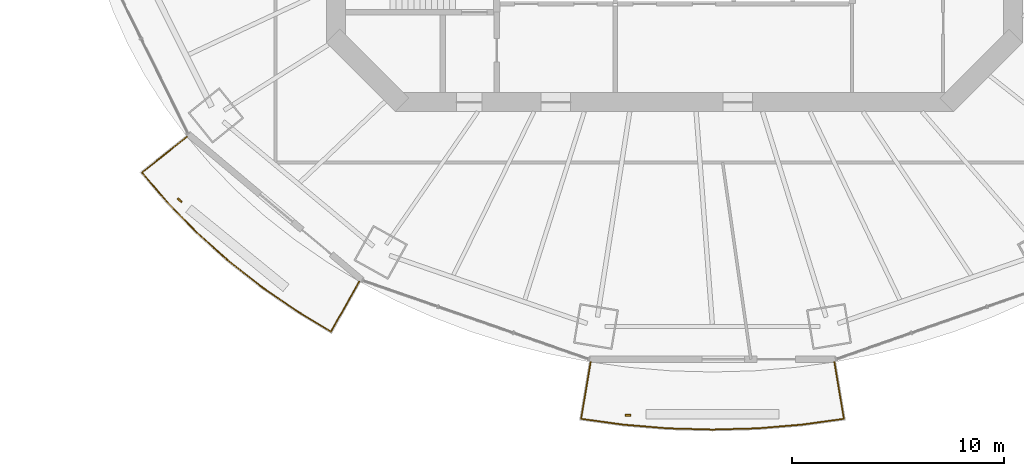
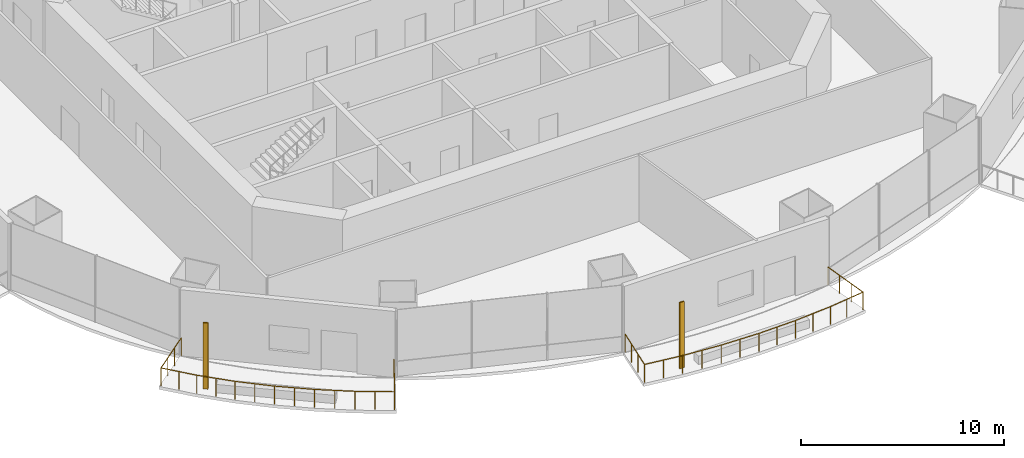
# One storey, part 14 of 19: 2 railings, 2 shading devices.
"""IFC4 building model written with IfcOpenShell, lengths in metres."""

from ifc_helpers import new_model, si_unit, direction, frame, origin, origin_2d, place, context, subcontext, project, spatial, rectangle, circle, extrude, material, material_profile, profile_set, type_object, element, save


model = new_model("IFC4")

# Units and contexts
model_context = context("Model", 3, precision=1e-05, world=origin(), true_north=direction((0.0, 1.0)))
body_context = subcontext(model_context, "Body", "Model", "MODEL_VIEW")
ifc_project = project(units=[si_unit("LENGTHUNIT", "METRE"), si_unit("AREAUNIT", "SQUARE_METRE"), si_unit("VOLUMEUNIT", "CUBIC_METRE"), si_unit("PLANEANGLEUNIT", "RADIAN"), si_unit("MASSUNIT", "GRAM", prefix="KILO")], contexts=[model_context])

# Site, building, storey
site_placement = place(None, origin())
site = spatial("IfcSite", under=ifc_project, at=site_placement, CompositionType="ELEMENT")
building_placement = place(site_placement, origin())
building = spatial("IfcBuilding", under=site, at=building_placement, Name="Marenthal Gate Tower", CompositionType="ELEMENT")
storey_placement = place(building_placement, frame((0.0, 0.0, 252.35009765625)))
storey = spatial("IfcBuildingStorey", under=building, at=storey_placement, Name="L56", CompositionType="ELEMENT", Elevation=252.35009765625)

# Railings
ifc_material_1 = material(Name="Stainless steel", Category="steel")
railing_type = type_object("IfcRailingType", Name="Balcony guard 1100", PredefinedType="GUARDRAIL", material=ifc_material_1)
railing_1_placement = place(storey_placement, frame((-14.89404296875, -21.4755859375, 0.0)))
element("IfcRailing", 1, at=railing_1_placement, inside=storey, type_object=railing_type, Name="Balcony guard L56 bay 10", PredefinedType="GUARDRAIL", context=body_context, shape_type="SweptSolid", body=[
    extrude(circle(Radius=0.02392578125, at=origin_2d()), frame((0.0, 0.0, 1.076171875), z_axis=(-0.490003601749, -0.871596150217, -0.014718056902), x_axis=(0.871690568659, -0.490056682957, 0.0)), (0.0, 0.0, 1.0), 2.720458984375),
    extrude(circle(Radius=0.02392578125, at=origin_2d()), frame((-1.3330078125, -2.37109375, 1.0361328125), z_axis=(-0.855893544478, 0.517152047778, 0.0), x_axis=(-0.517152047778, -0.855893544478, 0.0)), (0.0, 0.0, 1.0), 1.944580078125),
    extrude(circle(Radius=0.02392578125, at=origin_2d()), frame((-2.997314453125, -1.365478515625, 1.0361328125), z_axis=(-0.823118749267, 0.567869284787, 0.0), x_axis=(-0.567869284787, -0.823118749267, 0.0)), (0.0, 0.0, 1.0), 2.008544921875),
    extrude(circle(Radius=0.02392578125, at=origin_2d()), frame((-4.650634765625, -0.224853515625, 1.0361328125), z_axis=(-0.785663114819, 0.618654564367, 0.0), x_axis=(-0.618654564367, -0.785663114819, 0.0)), (0.0, 0.0, 1.0), 1.992431640625),
    extrude(circle(Radius=0.02392578125, at=origin_2d()), frame((-6.216064453125, 1.0078125, 1.0361328125), z_axis=(-0.744141474821, 0.668022054614, 0.0), x_axis=(-0.668022054614, -0.744141474821, 0.0)), (0.0, 0.0, 1.0), 1.975830078125),
    extrude(circle(Radius=0.02392578125, at=origin_2d()), frame((-7.686279296875, 2.32763671875, 1.0361328125), z_axis=(-0.698521536326, 0.715589032398, 0.0), x_axis=(-0.715589032398, -0.698521536326, 0.0)), (0.0, 0.0, 1.0), 1.959716796875),
    extrude(circle(Radius=0.02392578125, at=origin_2d()), frame((-9.05517578125, 3.72998046875, 1.0361328125), z_axis=(-0.649809223688, 0.760097344298, 0.0), x_axis=(-0.760097344298, -0.649809223688, 0.0)), (0.0, 0.0, 1.0), 1.864013671875),
    extrude(circle(Radius=0.02392578125, at=origin_2d()), frame((-10.266357421875, 5.146728515625, 1.0361328125), z_axis=(0.783055581805, 0.621777543925, 0.014718752483), x_axis=(-0.621844906334, 0.783140416826, 0.0)), (0.0, 0.0, 1.0), 2.72021484375),
    extrude(circle(Radius=0.02099609375, at=origin_2d()), origin(), (0.0, 0.0, 1.0), 1.052001953125),
    extrude(circle(Radius=0.02099609375, at=origin_2d()), frame((-0.4443359375, -0.790283203125, -0.013427734375)), (0.0, 0.0, 1.0), 1.052001953125),
    extrude(circle(Radius=0.02099609375, at=origin_2d()), frame((-0.888671875, -1.580810546875, -0.026611328125)), (0.0, 0.0, 1.0), 1.052001953125),
    extrude(circle(Radius=0.02099609375, at=origin_2d()), frame((-1.3330078125, -2.37109375, -0.0400390625)), (0.0, 0.0, 1.0), 1.052001953125),
    extrude(circle(Radius=0.02099609375, at=origin_2d()), frame((-2.1650390625, -1.8681640625, -0.0400390625)), (0.0, 0.0, 1.0), 1.052001953125),
    extrude(circle(Radius=0.02099609375, at=origin_2d()), frame((-2.997314453125, -1.365478515625, -0.0400390625)), (0.0, 0.0, 1.0), 1.052001953125),
    extrude(circle(Radius=0.02099609375, at=origin_2d()), frame((-3.823974609375, -0.795166015625, -0.0400390625)), (0.0, 0.0, 1.0), 1.052001953125),
    extrude(circle(Radius=0.02099609375, at=origin_2d()), frame((-4.650634765625, -0.224853515625, -0.0400390625)), (0.0, 0.0, 1.0), 1.052001953125),
    extrude(circle(Radius=0.02099609375, at=origin_2d()), frame((-5.433349609375, 0.3916015625, -0.0400390625)), (0.0, 0.0, 1.0), 1.052001953125),
    extrude(circle(Radius=0.02099609375, at=origin_2d()), frame((-6.216064453125, 1.0078125, -0.0400390625)), (0.0, 0.0, 1.0), 1.052001953125),
    extrude(circle(Radius=0.02099609375, at=origin_2d()), frame((-6.951171875, 1.667724609375, -0.0400390625)), (0.0, 0.0, 1.0), 1.052001953125),
    extrude(circle(Radius=0.02099609375, at=origin_2d()), frame((-7.686279296875, 2.32763671875, -0.0400390625)), (0.0, 0.0, 1.0), 1.052001953125),
    extrude(circle(Radius=0.02099609375, at=origin_2d()), frame((-8.37060546875, 3.02880859375, -0.0400390625)), (0.0, 0.0, 1.0), 1.052001953125),
    extrude(circle(Radius=0.02099609375, at=origin_2d()), frame((-9.05517578125, 3.72998046875, -0.0400390625)), (0.0, 0.0, 1.0), 1.052001953125),
    extrude(circle(Radius=0.02099609375, at=origin_2d()), frame((-9.66064453125, 4.4384765625, -0.0400390625)), (0.0, 0.0, 1.0), 1.052001953125),
    extrude(circle(Radius=0.02099609375, at=origin_2d()), frame((-10.266357421875, 5.146728515625, -0.0400390625)), (0.0, 0.0, 1.0), 1.052001953125),
    extrude(circle(Radius=0.02099609375, at=origin_2d()), frame((-9.556396484375, 5.71044921875, -0.026611328125)), (0.0, 0.0, 1.0), 1.052001953125),
    extrude(circle(Radius=0.02099609375, at=origin_2d()), frame((-8.84619140625, 6.2744140625, -0.013427734375)), (0.0, 0.0, 1.0), 1.052001953125),
    extrude(circle(Radius=0.02099609375, at=origin_2d()), frame((-8.13623046875, 6.838134765625, 0.0)), (0.0, 0.0, 1.0), 1.052001953125),
])
railing_2_placement = place(storey_placement, frame((7.558837890625, -25.283935546875, 0.0)))
element("IfcRailing", 2, at=railing_2_placement, inside=storey, type_object=railing_type, Name="Balcony guard L56 bay 12", PredefinedType="GUARDRAIL", context=body_context, shape_type="SweptSolid", body=[
    extrude(circle(Radius=0.02392578125, at=origin_2d()), frame((0.0, 0.0, 1.076171875), z_axis=(0.165050627973, -0.986175258386, -0.014719033707), x_axis=(0.986282103159, 0.165068509984, 0.0)), (0.0, 0.0, 1.0), 2.72021484375),
    extrude(circle(Radius=0.02392578125, at=origin_2d()), frame((0.448974609375, -2.6826171875, 1.0361328125), z_axis=(-0.990661107933, -0.1363472377, 0.0), x_axis=(0.1363472377, -0.990661107933, 0.0)), (0.0, 0.0, 1.0), 2.021484375),
    extrude(circle(Radius=0.02392578125, at=origin_2d()), frame((-1.5537109375, -2.958251953125, 1.0361328125), z_axis=(-0.996585629945, -0.082565623519, 0.0), x_axis=(0.082565623519, -0.996585629945, 0.0)), (0.0, 0.0, 1.0), 2.105224609375),
    extrude(circle(Radius=0.02392578125, at=origin_2d()), frame((-3.65185546875, -3.132080078125, 1.0361328125), z_axis=(-0.999619937795, -0.02756773409, 0.0), x_axis=(0.02756773409, -0.999619937795, 0.0)), (0.0, 0.0, 1.0), 2.107666015625),
    extrude(circle(Radius=0.02392578125, at=origin_2d()), frame((-5.7587890625, -3.190185546875, 1.0361328125), z_axis=(-0.999619937795, 0.02756773409, 0.0), x_axis=(-0.02756773409, -0.999619937795, 0.0)), (0.0, 0.0, 1.0), 2.107666015625),
    extrude(circle(Radius=0.02392578125, at=origin_2d()), frame((-7.86572265625, -3.132080078125, 1.0361328125), z_axis=(-0.996585629945, 0.082565623519, 0.0), x_axis=(-0.082565623519, -0.996585629945, 0.0)), (0.0, 0.0, 1.0), 2.105224609375),
    extrude(circle(Radius=0.02392578125, at=origin_2d()), frame((-9.9638671875, -2.958251953125, 1.0361328125), z_axis=(-0.990661107933, 0.1363472377, 0.0), x_axis=(-0.1363472377, -0.990661107933, 0.0)), (0.0, 0.0, 1.0), 2.021484375),
    extrude(circle(Radius=0.02392578125, at=origin_2d()), frame((-11.966552734375, -2.6826171875, 1.0361328125), z_axis=(0.165050627973, 0.986175258386, 0.014719033707), x_axis=(-0.986282103159, 0.165068509984, 0.0)), (0.0, 0.0, 1.0), 2.72021484375),
    extrude(circle(Radius=0.02099609375, at=origin_2d()), origin(), (0.0, 0.0, 1.0), 1.052001953125),
    extrude(circle(Radius=0.02099609375, at=origin_2d()), frame((0.149658203125, -0.894287109375, -0.013427734375)), (0.0, 0.0, 1.0), 1.052001953125),
    extrude(circle(Radius=0.02099609375, at=origin_2d()), frame((0.29931640625, -1.788330078125, -0.026611328125)), (0.0, 0.0, 1.0), 1.052001953125),
    extrude(circle(Radius=0.02099609375, at=origin_2d()), frame((0.448974609375, -2.6826171875, -0.0400390625)), (0.0, 0.0, 1.0), 1.052001953125),
    extrude(circle(Radius=0.02099609375, at=origin_2d()), frame((-0.55224609375, -2.8203125, -0.0400390625)), (0.0, 0.0, 1.0), 1.052001953125),
    extrude(circle(Radius=0.02099609375, at=origin_2d()), frame((-1.5537109375, -2.958251953125, -0.0400390625)), (0.0, 0.0, 1.0), 1.052001953125),
    extrude(circle(Radius=0.02099609375, at=origin_2d()), frame((-2.602783203125, -3.045166015625, -0.0400390625)), (0.0, 0.0, 1.0), 1.052001953125),
    extrude(circle(Radius=0.02099609375, at=origin_2d()), frame((-3.65185546875, -3.132080078125, -0.0400390625)), (0.0, 0.0, 1.0), 1.052001953125),
    extrude(circle(Radius=0.02099609375, at=origin_2d()), frame((-4.705322265625, -3.1611328125, -0.0400390625)), (0.0, 0.0, 1.0), 1.052001953125),
    extrude(circle(Radius=0.02099609375, at=origin_2d()), frame((-5.7587890625, -3.190185546875, -0.0400390625)), (0.0, 0.0, 1.0), 1.052001953125),
    extrude(circle(Radius=0.02099609375, at=origin_2d()), frame((-6.812255859375, -3.1611328125, -0.0400390625)), (0.0, 0.0, 1.0), 1.052001953125),
    extrude(circle(Radius=0.02099609375, at=origin_2d()), frame((-7.86572265625, -3.132080078125, -0.0400390625)), (0.0, 0.0, 1.0), 1.052001953125),
    extrude(circle(Radius=0.02099609375, at=origin_2d()), frame((-8.914794921875, -3.045166015625, -0.0400390625)), (0.0, 0.0, 1.0), 1.052001953125),
    extrude(circle(Radius=0.02099609375, at=origin_2d()), frame((-9.9638671875, -2.958251953125, -0.0400390625)), (0.0, 0.0, 1.0), 1.052001953125),
    extrude(circle(Radius=0.02099609375, at=origin_2d()), frame((-10.96533203125, -2.8203125, -0.0400390625)), (0.0, 0.0, 1.0), 1.052001953125),
    extrude(circle(Radius=0.02099609375, at=origin_2d()), frame((-11.966552734375, -2.6826171875, -0.0400390625)), (0.0, 0.0, 1.0), 1.052001953125),
    extrude(circle(Radius=0.02099609375, at=origin_2d()), frame((-11.81689453125, -1.788330078125, -0.026611328125)), (0.0, 0.0, 1.0), 1.052001953125),
    extrude(circle(Radius=0.02099609375, at=origin_2d()), frame((-11.667236328125, -0.894287109375, -0.013427734375)), (0.0, 0.0, 1.0), 1.052001953125),
    extrude(circle(Radius=0.02099609375, at=origin_2d()), frame((-11.517578125, 0.0, 0.0)), (0.0, 0.0, 1.0), 1.052001953125),
])

# Shading devices
ifc_material_2 = material(Name="Terracotta", Category="masonry")
ifc_material_profile = material_profile(ifc_material_2, rectangle(XDim=0.25, YDim=0.080078125, at=origin_2d()), Name="Terracotta baguette 250x80")
ifc_profile_set = profile_set([ifc_material_profile], Name="Terracotta")
shading_device_type = type_object("IfcShadingDeviceType", Name="Terracotta BAGUETTE SCREEN 250x80", PredefinedType="USERDEFINED", material=ifc_profile_set)
for number, where, z_axis, x_axis, name in (
    (3, (-23.376708984375, -17.63525390625, -0.0400390625), (0.0, 0.0, 1.0), (0.765398416376, -0.643556729597, 0.0), "Terracotta BAGUETTE L56 bay 10L"),
    (4, (-2.199462890625, -27.798095703125, -0.0400390625), (0.0, 0.0, 1.0), (1.0, 0.0, 0.0), "Terracotta BAGUETTE L56 bay 12L"),
):
    element("IfcShadingDevice", number, at=place(storey_placement, frame(where, z_axis=z_axis, x_axis=x_axis)), inside=storey, type_object=shading_device_type, Name=name, ObjectType="BAGUETTE SCREEN", PredefinedType="USERDEFINED", context=body_context, shape_type="SweptSolid", body=[
        extrude(rectangle(XDim=0.25, YDim=0.080078125, at=origin_2d()), origin(), (0.0, 0.0, 1.0), 3.969970703125),
    ])

save(model, "model.ifc")
